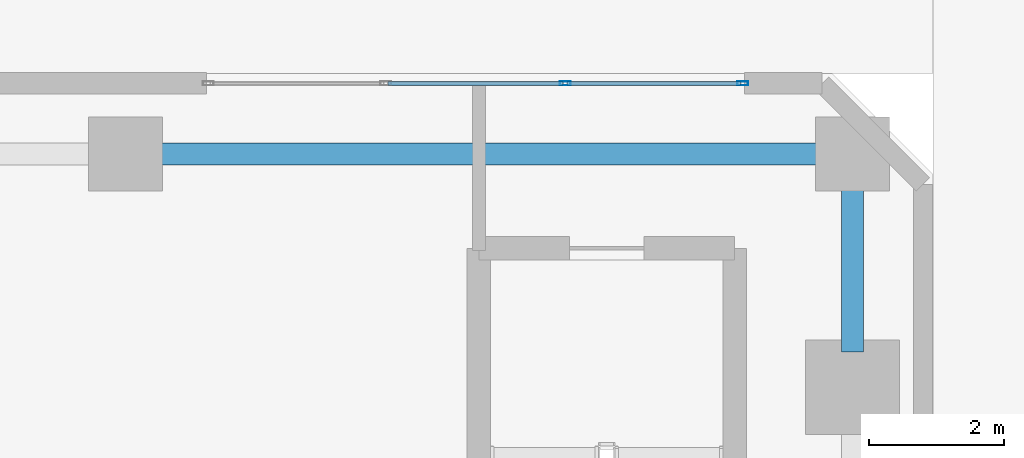
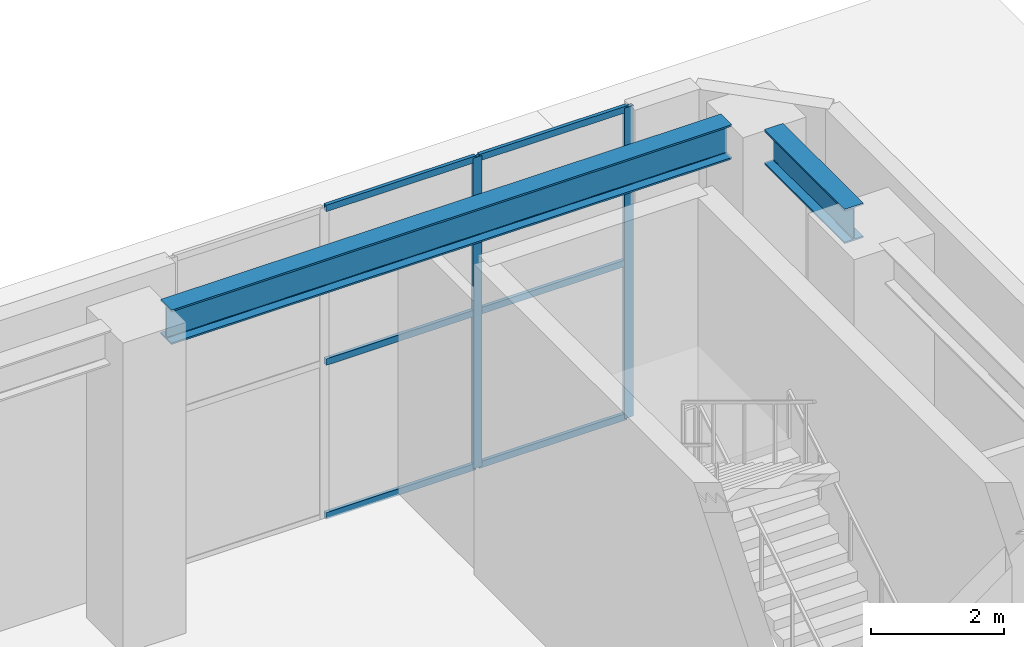
# One storey, part 31 of 49: 8 members, 2 beams, 1 element without a shape of its own.
"""IFC4 building model written with IfcOpenShell, lengths in metres."""

import ifcopenshell
import ifcopenshell.guid

model = None  # the IFC model being written
_history = None  # IfcOwnerHistory: only IFC2X3 demands one
_inside = {}  # id of a spatial element -> (the spatial element, [elements in it])
_under = {}  # id of a project, library or spatial element -> (it, [spatial elements below it])
_declared = {}  # id of a project -> (the project, [libraries it declares])
_typed = {}  # id of a type object -> (the type object, [elements of that type])
_made_of = {}  # id of a material, layer set ... -> (it, [elements and type objects made of it])


def new_model(schema):
    """Start an empty IFC model of exactly this schema.

    Asked for "IFC4X3", IfcOpenShell would pick the latest addendum, in which some entities
    have other attributes; the version numbers below select the first issue.
    IFC2X3 requires an IfcOwnerHistory on every rooted entity: one is made here for all.
    """
    global model, _history
    if schema == "IFC4X3":
        model = ifcopenshell.file(schema_version=(4, 3, 0, 0))
    else:
        model = ifcopenshell.file(schema=schema)
    _inside.clear()
    _under.clear()
    _declared.clear()
    _typed.clear()
    _made_of.clear()
    _history = None
    if model.schema == "IFC2X3":
        org = make("IfcOrganization", Name="unknown")
        user = make(
            "IfcPersonAndOrganization",
            ThePerson=make("IfcPerson", FamilyName="unknown"),
            TheOrganization=org,
        )
        app = make(
            "IfcApplication",
            ApplicationDeveloper=org,
            Version="unknown",
            ApplicationFullName="unknown",
            ApplicationIdentifier="unknown",
        )
        _history = make(
            "IfcOwnerHistory",
            OwningUser=user,
            OwningApplication=app,
            ChangeAction="ADDED",
            CreationDate=0,
        )
    return model


def make(cls, **values):
    """One entity of the class cls with the attributes given. An attribute that is None is left unset."""
    return model.create_entity(
        cls, **{name: value for name, value in values.items() if value is not None}
    )


def rooted(cls, **values):
    """An entity with a GlobalId (a new one), such as an element, a storey or a relation."""
    return make(cls, GlobalId=ifcopenshell.guid.new(), OwnerHistory=_history, **values)


def si_unit(unit_type, name, prefix=None):
    """IfcSIUnit, for example si_unit("LENGTHUNIT", "METRE", prefix="MILLI")."""
    return make("IfcSIUnit", UnitType=unit_type, Prefix=prefix, Name=name)


def assignment(units):
    """IfcUnitAssignment: the units of a project."""
    return None if units is None else make("IfcUnitAssignment", Units=units)


def point(xyz):
    """IfcCartesianPoint."""
    return None if xyz is None else make("IfcCartesianPoint", Coordinates=xyz)


def direction(xyz):
    """IfcDirection."""
    return None if xyz is None else make("IfcDirection", DirectionRatios=xyz)


def frame(location, z_axis=None, x_axis=None):
    """IfcAxis2Placement3D, a coordinate frame: its origin and axes. An axis left out is left unset."""
    return make(
        "IfcAxis2Placement3D",
        Location=point(location),
        Axis=direction(z_axis),
        RefDirection=direction(x_axis),
    )


def frame_2d(location, x_axis=None):
    """IfcAxis2Placement2D, a coordinate frame in the plane: its origin and x axis."""
    return make(
        "IfcAxis2Placement2D", Location=point(location), RefDirection=direction(x_axis)
    )


def origin():
    """The frame at (0, 0, 0) with its axes left unset."""
    return frame((0.0, 0.0, 0.0))


def origin_2d():
    """The frame at (0, 0) in the plane with its x axis left unset."""
    return frame_2d((0.0, 0.0))


def place(relative_to, where):
    """IfcLocalPlacement: puts the frame where relative to a parent placement (None: the world)."""
    return make(
        "IfcLocalPlacement", PlacementRelTo=relative_to, RelativePlacement=where
    )


def context(
    kind, dimensions, precision=None, world=None, true_north=None, identifier=None
):
    """IfcGeometricRepresentationContext, for example the 3D "Model" context."""
    return make(
        "IfcGeometricRepresentationContext",
        ContextIdentifier=identifier,
        ContextType=kind,
        CoordinateSpaceDimension=dimensions,
        Precision=precision,
        WorldCoordinateSystem=world,
        TrueNorth=true_north,
    )


def subcontext(parent, identifier, kind, view, scale=None):
    """IfcGeometricRepresentationSubContext, for example "Body" below "Model"."""
    return make(
        "IfcGeometricRepresentationSubContext",
        ContextIdentifier=identifier,
        ContextType=kind,
        ParentContext=parent,
        TargetScale=scale,
        TargetView=view,
    )


def project(units=None, contexts=None):
    """IfcProject with its units and contexts."""
    return rooted(
        "IfcProject",
        Name="project",
        RepresentationContexts=contexts,
        UnitsInContext=assignment(units),
    )


def spatial(cls, under=None, at=None, **own):
    """A site, building, storey or space (cls), placed at a placement, below another one or the project."""
    s = rooted(cls, ObjectPlacement=at, **own)
    if under is not None:
        _under.setdefault(under.id(), (under, []))[1].append(s)
    return s


def profile(cls, at=None, kind="AREA", **sizes):
    """A parametric profile (cls). Its sizes go by their IFC names, for example OverallWidth=200.0."""
    return make(cls, ProfileType=kind, Position=at, **sizes)


def hollow_rectangle(**sizes):
    """IfcRectangleHollowProfileDef."""
    return profile("IfcRectangleHollowProfileDef", **sizes)


def i_section(**sizes):
    """IfcIShapeProfileDef."""
    return profile("IfcIShapeProfileDef", **sizes)


def extrude(swept, where, along, depth):
    """IfcExtrudedAreaSolid: the profile swept, set in the frame where, extruded along a direction by depth."""
    return make(
        "IfcExtrudedAreaSolid",
        SweptArea=swept,
        Position=where,
        ExtrudedDirection=direction(along),
        Depth=depth,
    )


def shape(context_of_items, identifier, shape_type, items):
    """IfcShapeRepresentation: the items that make up one representation, for example the "Body"."""
    return make(
        "IfcShapeRepresentation",
        ContextOfItems=context_of_items,
        RepresentationIdentifier=identifier,
        RepresentationType=shape_type,
        Items=items,
    )


def material(Name=None, Category=None):
    """IfcMaterial."""
    return make("IfcMaterial", Name=Name, Category=Category)


def layer(
    of_material, thickness, ventilated=None, Name=None, Category=None, Priority=None
):
    """IfcMaterialLayer: one layer of a wall or slab, of a material (None: an air gap)."""
    return make(
        "IfcMaterialLayer",
        Material=of_material,
        LayerThickness=thickness,
        IsVentilated=ventilated,
        Name=Name,
        Category=Category,
        Priority=Priority,
    )


def layer_set(layers, Name=None):
    """IfcMaterialLayerSet."""
    return make("IfcMaterialLayerSet", MaterialLayers=layers, LayerSetName=Name)


def material_profile(
    of_material, cross_section, Name=None, Category=None, Priority=None
):
    """IfcMaterialProfile: a cross section and its material."""
    return make(
        "IfcMaterialProfile",
        Name=Name,
        Material=of_material,
        Profile=cross_section,
        Priority=Priority,
        Category=Category,
    )


def profile_set(profiles, Name=None, composite=None):
    """IfcMaterialProfileSet."""
    return make(
        "IfcMaterialProfileSet",
        Name=Name,
        MaterialProfiles=profiles,
        CompositeProfile=composite,
    )


def made_of(thing, what):
    """Note that an element or type object is made of a material, layer set ...; save() writes the relation."""
    if what is not None:
        _made_of.setdefault(what.id(), (what, []))[1].append(thing)
    return thing


def type_object(cls, material=None, **own):
    """A type object (cls), such as IfcWallType, which elements share."""
    return made_of(rooted(cls, **own), material)


def element(
    cls,
    number,
    at=None,
    inside=None,
    cuts=None,
    type_object=None,
    material=None,
    context=None,
    identifier="Body",
    shape_type=None,
    held_by="IfcProductDefinitionShape",
    body=None,
    shapes=None,
    **own,
):
    """One element of the class cls, such as IfcWall. Its Tag is "e" and its number.

    at: its placement. inside: the storey or other place that contains it. cuts: it is an
    opening in that element (IfcRelVoidsElement). A single representation is given by context,
    identifier, shape_type and body (its items); several are given by shapes. held_by: the class
    of the entity that holds the representations. save() writes the other relations.
    """
    e = rooted(cls, Tag="e%d" % number, ObjectPlacement=at, **own)
    if body is not None:
        shapes = [shape(context, identifier, shape_type, body)]
    if shapes is not None:
        e.Representation = make(held_by, Representations=shapes)
    if inside is not None:
        _inside.setdefault(inside.id(), (inside, []))[1].append(e)
    if cuts is not None:
        rooted(
            "IfcRelVoidsElement", RelatingBuildingElement=cuts, RelatedOpeningElement=e
        )
    if type_object is not None:
        _typed.setdefault(type_object.id(), (type_object, []))[1].append(e)
    return made_of(e, material)


def aggregate(whole, parts):
    """IfcRelAggregates: a whole, such as a stair, and the parts it consists of."""
    return rooted("IfcRelAggregates", RelatingObject=whole, RelatedObjects=parts)


def save(model, path):
    """Write the relations noted so far, then the file.

    IfcRelAggregates (storeys below a building ...), IfcRelContainedInSpatialStructure (elements
    in a storey), IfcRelDefinesByType, IfcRelAssociatesMaterial and IfcRelDeclares: one each for
    every whole, place, type object, material and project.
    """
    for whole, parts in _under.values():
        aggregate(whole, parts)
    for where, things in _inside.values():
        rooted(
            "IfcRelContainedInSpatialStructure",
            RelatedElements=things,
            RelatingStructure=where,
        )
    for kind, things in _typed.values():
        rooted("IfcRelDefinesByType", RelatedObjects=things, RelatingType=kind)
    for what, things in _made_of.values():
        rooted("IfcRelAssociatesMaterial", RelatedObjects=things, RelatingMaterial=what)
    for by, libraries in _declared.values():
        rooted("IfcRelDeclares", RelatingContext=by, RelatedDefinitions=libraries)
    model.write(path)


model = new_model("IFC4")

# Units and contexts
model_context = context("Model", 3, precision=1e-05, world=origin(), true_north=direction((0.0, 1.0)))
body_context = subcontext(model_context, "Body", "Model", "MODEL_VIEW")
ifc_project = project(units=[si_unit("LENGTHUNIT", "METRE"), si_unit("AREAUNIT", "SQUARE_METRE"), si_unit("VOLUMEUNIT", "CUBIC_METRE"), si_unit("PLANEANGLEUNIT", "RADIAN"), si_unit("MASSUNIT", "GRAM", prefix="KILO")], contexts=[model_context])

# Site, building, storey
site_placement = place(None, origin())
site = spatial("IfcSite", under=ifc_project, at=site_placement, CompositionType="ELEMENT")
building_placement = place(site_placement, origin())
building = spatial("IfcBuilding", under=site, at=building_placement, Name="Sarneth Arch Tower", CompositionType="ELEMENT")
storey_placement = place(building_placement, origin())
storey = spatial("IfcBuildingStorey", under=building, at=storey_placement, Name="L00", CompositionType="ELEMENT", Elevation=0.0)

# Beams
ifc_material_1 = material(Name="Steel S355", Category="steel")
ifc_material_profile_1 = material_profile(ifc_material_1, i_section(OverallWidth=0.3291015625, OverallDepth=0.635009765625, WebThickness=0.017822265625, FlangeThickness=0.031005859375, FilletRadius=0.01904296875, at=origin_2d()), Name="W610x241")
ifc_profile_set_1 = profile_set([ifc_material_profile_1], Name="Steel S355")
beam_type = type_object("IfcBeamType", Name="BM-POD-610", PredefinedType="BEAM", material=ifc_profile_set_1)
beam_1_placement = place(storey_placement, frame((76.52001953125, 74.800048828125, 5.402587890625), z_axis=(1.0, 0.0, 0.0), x_axis=(0.0, 1.0, 0.0)))
element("IfcBeam", 1, at=beam_1_placement, inside=storey, type_object=beam_type, Name="L00 Podium PN girder 8", PredefinedType="BEAM", context=body_context, shape_type="SweptSolid", body=[
    extrude(i_section(OverallWidth=0.3291015625, OverallDepth=0.635009765625, WebThickness=0.017822265625, FlangeThickness=0.031005859375, FilletRadius=0.01904296875, at=origin_2d()), origin(), (0.0, 0.0, 1.0), 9.760009765625),
])
beam_2_placement = place(storey_placement, frame((86.800048828125, 71.856689453125, 5.402587890625), z_axis=(0.0, 1.0, 0.0), x_axis=(-1.0, 0.0, 0.0)))
element("IfcBeam", 2, at=beam_2_placement, inside=storey, type_object=beam_type, Name="L00 Podium PE girder 10", PredefinedType="BEAM", context=body_context, shape_type="SweptSolid", body=[
    extrude(i_section(OverallWidth=0.3291015625, OverallDepth=0.635009765625, WebThickness=0.017822265625, FlangeThickness=0.031005859375, FilletRadius=0.01904296875, at=origin_2d()), origin(), (0.0, 0.0, 1.0), 2.42333984375),
])

# Curtain wall, members
ifc_material_2 = material(Name="Anodised aluminium Type AA25 and solar-control low-e laminated IGU", Category="aluminium")
ifc_layer = layer(ifc_material_2, 0.199951171875)
ifc_layer_set = layer_set([ifc_layer], Name="Anodised aluminium Type AA25 and solar-control low-e laminated IGU")
curtain_wall_type = type_object("IfcCurtainWallType", Name="CW-ARCH-GLAZE", PredefinedType="NOTDEFINED", material=ifc_layer_set)
curtain_wall_placement = place(storey_placement, origin())
curtain_wall = element("IfcCurtainWall", 3, at=curtain_wall_placement, inside=storey, type_object=curtain_wall_type, Name="L00 Podium bay curtain wall NE", PredefinedType="NOTDEFINED")
ifc_material_3 = material(Name="Anodised Aluminium 6063-T6", Category="aluminium")
ifc_material_profile_2 = material_profile(ifc_material_3, hollow_rectangle(XDim=0.06005859375, YDim=0.159912109375, WallThickness=0.00390625, at=origin_2d()), Name="AL-MULL-160x60x4")
ifc_profile_set_2 = profile_set([ifc_material_profile_2], Name="Anodised Aluminium 6063-T6")
member_type_1 = type_object("IfcMemberType", Name="CW-MULLION", PredefinedType="MULLION", material=ifc_profile_set_2)
member_1_placement = place(storey_placement, frame((85.169921875, 75.85009765625, 0.0), z_axis=(0.0, 0.0, 1.0), x_axis=(0.0, -1.0, 0.0)))
member_1 = element("IfcMember", 4, at=member_1_placement, type_object=member_type_1, Name="CW-SYS-2 mullion 1", PredefinedType="MULLION", context=body_context, shape_type="SweptSolid", body=[
    extrude(hollow_rectangle(XDim=0.06005859375, YDim=0.159912109375, WallThickness=0.00390625, at=origin_2d()), origin(), (0.0, 0.0, 1.0), 5.719970703125),
])
member_2_placement = place(storey_placement, frame((82.533447265625, 75.85009765625, 0.0), z_axis=(0.0, 0.0, 1.0), x_axis=(0.0, -1.0, 0.0)))
member_2 = element("IfcMember", 5, at=member_2_placement, type_object=member_type_1, Name="CW-SYS-2 mullion 2", PredefinedType="MULLION", context=body_context, shape_type="SweptSolid", body=[
    extrude(hollow_rectangle(XDim=0.06005859375, YDim=0.159912109375, WallThickness=0.00390625, at=origin_2d()), origin(), (0.0, 0.0, 1.0), 5.719970703125),
])
ifc_material_4 = material(Name="Anodised Aluminium 6063-T6", Category="aluminium")
ifc_material_profile_3 = material_profile(ifc_material_4, hollow_rectangle(XDim=0.06005859375, YDim=0.1201171875, WallThickness=0.00390625, at=origin_2d()), Name="AL-TRAN-120x60x4")
ifc_profile_set_3 = profile_set([ifc_material_profile_3], Name="Anodised Aluminium 6063-T6")
member_type_2 = type_object("IfcMemberType", Name="CW-TRANSOM", PredefinedType="USERDEFINED", material=ifc_profile_set_3)
member_3_placement = place(storey_placement, frame((85.139892578125, 75.85009765625, 0.030029296875), z_axis=(-1.0, 0.0, 0.0), x_axis=(0.0, -1.0, 0.0)))
member_3 = element("IfcMember", 6, at=member_3_placement, type_object=member_type_2, Name="CW-SYS-2 transom 1.1", ObjectType="TRANSOM", PredefinedType="USERDEFINED", context=body_context, shape_type="SweptSolid", body=[
    extrude(hollow_rectangle(XDim=0.06005859375, YDim=0.1201171875, WallThickness=0.00390625, at=origin_2d()), origin(), (0.0, 0.0, 1.0), 2.57666015625),
])
member_4_placement = place(storey_placement, frame((85.139892578125, 75.85009765625, 2.860107421875), z_axis=(-1.0, 0.0, 0.0), x_axis=(0.0, -1.0, 0.0)))
member_4 = element("IfcMember", 7, at=member_4_placement, type_object=member_type_2, Name="CW-SYS-2 transom 1.2", ObjectType="TRANSOM", PredefinedType="USERDEFINED", context=body_context, shape_type="SweptSolid", body=[
    extrude(hollow_rectangle(XDim=0.06005859375, YDim=0.1201171875, WallThickness=0.00390625, at=origin_2d()), origin(), (0.0, 0.0, 1.0), 2.57666015625),
])
member_5_placement = place(storey_placement, frame((85.139892578125, 75.85009765625, 5.68994140625), z_axis=(-1.0, 0.0, 0.0), x_axis=(0.0, -1.0, 0.0)))
member_5 = element("IfcMember", 8, at=member_5_placement, type_object=member_type_2, Name="CW-SYS-2 transom 1.3", ObjectType="TRANSOM", PredefinedType="USERDEFINED", context=body_context, shape_type="SweptSolid", body=[
    extrude(hollow_rectangle(XDim=0.06005859375, YDim=0.1201171875, WallThickness=0.00390625, at=origin_2d()), origin(), (0.0, 0.0, 1.0), 2.57666015625),
])
member_6_placement = place(storey_placement, frame((82.50341796875, 75.85009765625, 0.030029296875), z_axis=(-1.0, 0.0, 0.0), x_axis=(0.0, -1.0, 0.0)))
member_6 = element("IfcMember", 9, at=member_6_placement, type_object=member_type_2, Name="CW-SYS-2 transom 2.1", ObjectType="TRANSOM", PredefinedType="USERDEFINED", context=body_context, shape_type="SweptSolid", body=[
    extrude(hollow_rectangle(XDim=0.06005859375, YDim=0.1201171875, WallThickness=0.00390625, at=origin_2d()), origin(), (0.0, 0.0, 1.0), 2.606689453125),
])
member_7_placement = place(storey_placement, frame((82.50341796875, 75.85009765625, 2.860107421875), z_axis=(-1.0, 0.0, 0.0), x_axis=(0.0, -1.0, 0.0)))
member_7 = element("IfcMember", 10, at=member_7_placement, type_object=member_type_2, Name="CW-SYS-2 transom 2.2", ObjectType="TRANSOM", PredefinedType="USERDEFINED", context=body_context, shape_type="SweptSolid", body=[
    extrude(hollow_rectangle(XDim=0.06005859375, YDim=0.1201171875, WallThickness=0.00390625, at=origin_2d()), origin(), (0.0, 0.0, 1.0), 2.606689453125),
])
member_8_placement = place(storey_placement, frame((82.50341796875, 75.85009765625, 5.68994140625), z_axis=(-1.0, 0.0, 0.0), x_axis=(0.0, -1.0, 0.0)))
member_8 = element("IfcMember", 11, at=member_8_placement, type_object=member_type_2, Name="CW-SYS-2 transom 2.3", ObjectType="TRANSOM", PredefinedType="USERDEFINED", context=body_context, shape_type="SweptSolid", body=[
    extrude(hollow_rectangle(XDim=0.06005859375, YDim=0.1201171875, WallThickness=0.00390625, at=origin_2d()), origin(), (0.0, 0.0, 1.0), 2.606689453125),
])
aggregate(curtain_wall, [member_1, member_2, member_3, member_4, member_5, member_6, member_7, member_8])

save(model, "model.ifc")
